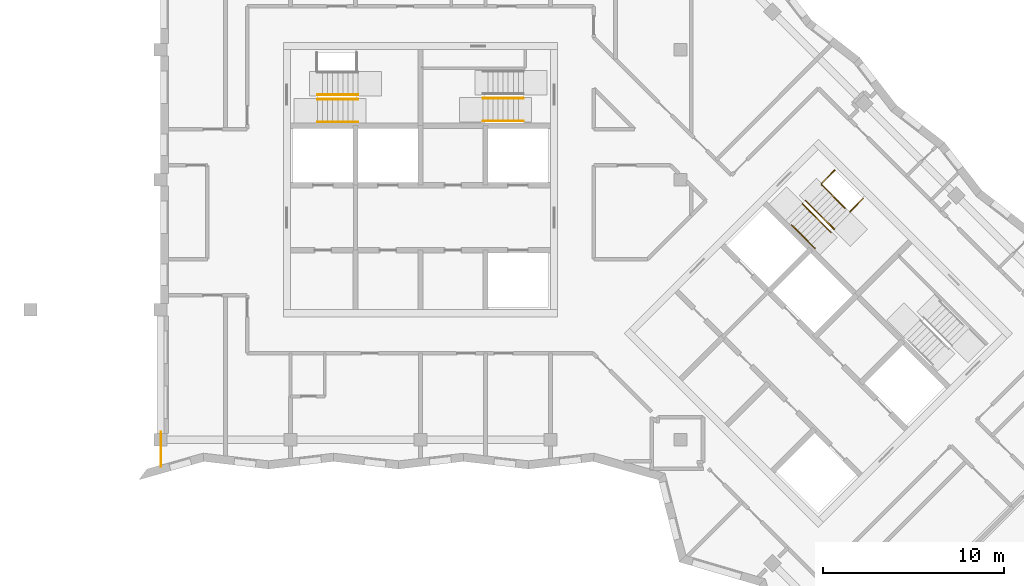
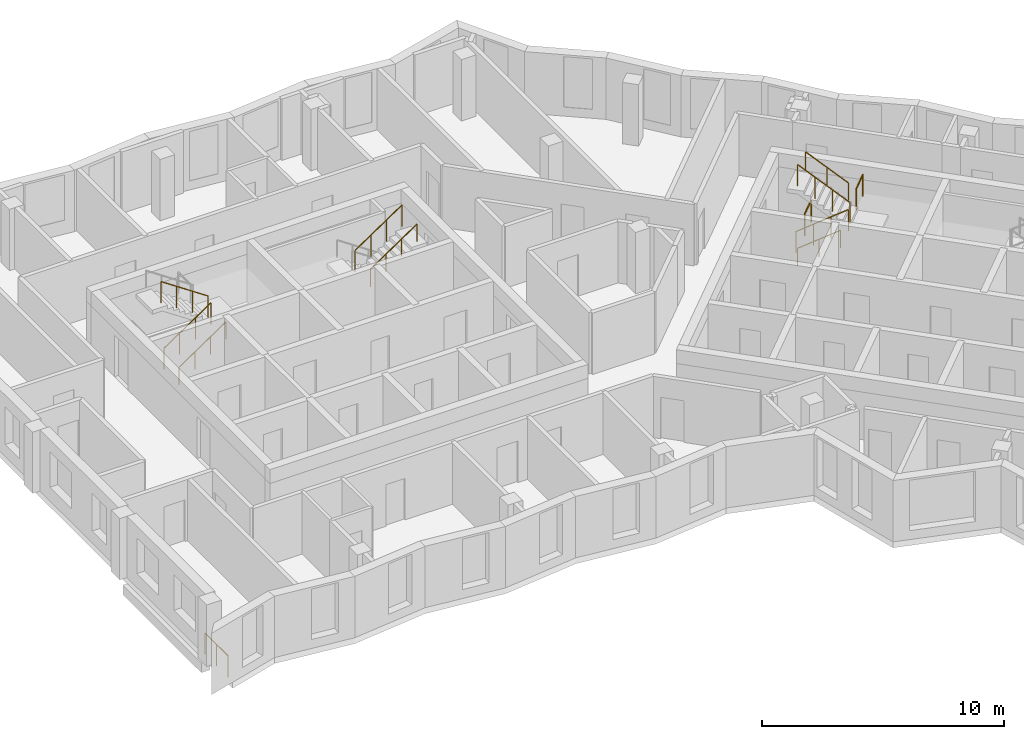
# One storey, part 9 of 12: 12 railings.
"""IFC4 building model written with IfcOpenShell, lengths in metres."""

from ifc_helpers import new_model, si_unit, direction, frame, origin, origin_2d, place, context, subcontext, project, spatial, circle, extrude, material, type_object, element, save


model = new_model("IFC4")

# Units and contexts
model_context = context("Model", 3, precision=1e-05, world=origin(), true_north=direction((0.0, 1.0)))
body_context = subcontext(model_context, "Body", "Model", "MODEL_VIEW")
ifc_project = project(units=[si_unit("LENGTHUNIT", "METRE"), si_unit("AREAUNIT", "SQUARE_METRE"), si_unit("VOLUMEUNIT", "CUBIC_METRE"), si_unit("PLANEANGLEUNIT", "RADIAN"), si_unit("MASSUNIT", "GRAM", prefix="KILO")], contexts=[model_context])

# Site, building, storey
site_placement = place(None, origin())
site = spatial("IfcSite", under=ifc_project, at=site_placement, CompositionType="ELEMENT")
building_placement = place(site_placement, origin())
building = spatial("IfcBuilding", under=site, at=building_placement, Name="Windrow Commons", CompositionType="ELEMENT")
storey_placement = place(building_placement, frame((0.0, 0.0, 257.4)))
storey = spatial("IfcBuildingStorey", under=building, at=storey_placement, Name="L70", CompositionType="ELEMENT", Elevation=257.4)

# Railings
ifc_material_1 = material(Name="Steel S355", Category="steel")
railing_type_1 = type_object("IfcRailingType", Name="Core stair guard 1100", PredefinedType="GUARDRAIL", material=ifc_material_1)
railing_1_placement = place(storey_placement, frame((59.1, 62.05, 0.1889)))
element("IfcRailing", 1, at=railing_1_placement, inside=storey, type_object=railing_type_1, Name="L70 ST-A1 stair guard 1", PredefinedType="GUARDRAIL", context=body_context, shape_type="SweptSolid", body=[
    extrude(circle(Radius=0.024, at=origin_2d()), frame((0.0, 0.0, 1.076), z_axis=(0.8290030985, 0.0, 0.5592440099), x_axis=(0.0, 1.0, 0.0)), (0.0, 0.0, 1.0), 2.702),
    extrude(circle(Radius=0.021, at=origin_2d()), origin(), (0.0, 0.0, 1.0), 1.052),
    extrude(circle(Radius=0.021, at=origin_2d()), frame((0.7467, 0.0, 0.5037)), (0.0, 0.0, 1.0), 1.052),
    extrude(circle(Radius=0.021, at=origin_2d()), frame((1.4933, 0.0, 1.0074)), (0.0, 0.0, 1.0), 1.052),
    extrude(circle(Radius=0.021, at=origin_2d()), frame((2.24, 0.0, 1.5111)), (0.0, 0.0, 1.0), 1.052),
])
railing_2_placement = place(storey_placement, frame((61.34, 62.3, 1.8889)))
element("IfcRailing", 2, at=railing_2_placement, inside=storey, type_object=railing_type_1, Name="L70 ST-A1 stair guard 2", PredefinedType="GUARDRAIL", context=body_context, shape_type="SweptSolid", body=[
    extrude(circle(Radius=0.024, at=origin_2d()), frame((0.0, 0.0, 1.076), z_axis=(-0.8290030985, 0.0, 0.5592440099), x_axis=(0.0, -1.0, 0.0)), (0.0, 0.0, 1.0), 2.702),
    extrude(circle(Radius=0.021, at=origin_2d()), origin(), (0.0, 0.0, 1.0), 1.052),
    extrude(circle(Radius=0.021, at=origin_2d()), frame((-0.7467, 0.0, 0.5037)), (0.0, 0.0, 1.0), 1.052),
    extrude(circle(Radius=0.021, at=origin_2d()), frame((-1.4933, 0.0, 1.0074)), (0.0, 0.0, 1.0), 1.052),
    extrude(circle(Radius=0.021, at=origin_2d()), frame((-2.24, 0.0, 1.5111)), (0.0, 0.0, 1.0), 1.052),
])
railing_3_placement = place(storey_placement, frame((68.26, 62.105, 1.8889)))
element("IfcRailing", 3, at=railing_3_placement, inside=storey, type_object=railing_type_1, Name="L70 ST-A2 stair guard 2", PredefinedType="GUARDRAIL", context=body_context, shape_type="SweptSolid", body=[
    extrude(circle(Radius=0.024, at=origin_2d()), frame((0.0, 0.0, 1.076), z_axis=(0.8290030985, 0.0, 0.5592440099), x_axis=(0.0, 1.0, 0.0)), (0.0, 0.0, 1.0), 2.702),
    extrude(circle(Radius=0.021, at=origin_2d()), origin(), (0.0, 0.0, 1.0), 1.052),
    extrude(circle(Radius=0.021, at=origin_2d()), frame((0.7467, 0.0, 0.5037)), (0.0, 0.0, 1.0), 1.052),
    extrude(circle(Radius=0.021, at=origin_2d()), frame((1.4933, 0.0, 1.0074)), (0.0, 0.0, 1.0), 1.052),
    extrude(circle(Radius=0.021, at=origin_2d()), frame((2.24, 0.0, 1.5111)), (0.0, 0.0, 1.0), 1.052),
])
railing_4_placement = place(storey_placement, frame((85.9529, 56.2669, 0.1889)))
element("IfcRailing", 4, at=railing_4_placement, inside=storey, type_object=railing_type_1, Name="L70 ST-B1 stair guard 1", PredefinedType="GUARDRAIL", context=body_context, shape_type="SweptSolid", body=[
    extrude(circle(Radius=0.024, at=origin_2d()), frame((0.0, 0.0, 1.076), z_axis=(0.5861914914, -0.5861914914, 0.5592486664), x_axis=(0.7071067812, 0.7071067812, 0.0)), (0.0, 0.0, 1.0), 2.702),
    extrude(circle(Radius=0.021, at=origin_2d()), origin(), (0.0, 0.0, 1.0), 1.052),
    extrude(circle(Radius=0.021, at=origin_2d()), frame((0.528, -0.528, 0.5037)), (0.0, 0.0, 1.0), 1.052),
    extrude(circle(Radius=0.021, at=origin_2d()), frame((1.0559, -1.0559, 1.0074)), (0.0, 0.0, 1.0), 1.052),
    extrude(circle(Radius=0.021, at=origin_2d()), frame((1.5839, -1.5839, 1.5111)), (0.0, 0.0, 1.0), 1.052),
])
railing_5_placement = place(storey_placement, frame((87.7136, 54.8597, 1.8889)))
element("IfcRailing", 5, at=railing_5_placement, inside=storey, type_object=railing_type_1, Name="L70 ST-B1 stair guard 2", PredefinedType="GUARDRAIL", context=body_context, shape_type="SweptSolid", body=[
    extrude(circle(Radius=0.024, at=origin_2d()), frame((0.0, 0.0, 1.076), z_axis=(-0.5862030657, 0.5862030657, 0.5592244018), x_axis=(-0.7071067812, -0.7071067812, 0.0)), (0.0, 0.0, 1.0), 2.7021),
    extrude(circle(Radius=0.021, at=origin_2d()), origin(), (0.0, 0.0, 1.0), 1.052),
    extrude(circle(Radius=0.021, at=origin_2d()), frame((-0.528, 0.528, 0.5037)), (0.0, 0.0, 1.0), 1.052),
    extrude(circle(Radius=0.021, at=origin_2d()), frame((-1.056, 1.056, 1.0074)), (0.0, 0.0, 1.0), 1.052),
    extrude(circle(Radius=0.021, at=origin_2d()), frame((-1.584, 1.584, 1.5111)), (0.0, 0.0, 1.0), 1.052),
])
railing_6_placement = place(storey_placement, frame((87.0135, 57.3982, 0.0)))
element("IfcRailing", 6, at=railing_6_placement, inside=storey, type_object=railing_type_1, Name="L70 ST-B1 stair guard 3", PredefinedType="GUARDRAIL", context=body_context, shape_type="SweptSolid", body=[
    extrude(circle(Radius=0.024, at=origin_2d()), frame((0.0, 0.0, 1.076), z_axis=(0.7070582378, 0.7071553212, 0.0), x_axis=(-0.7071553212, 0.7070582378, 0.0)), (0.0, 0.0, 1.0), 1.03),
    extrude(circle(Radius=0.021, at=origin_2d()), origin(), (0.0, 0.0, 1.0), 1.052),
    extrude(circle(Radius=0.021, at=origin_2d()), frame((0.7283, 0.7284, 0.0)), (0.0, 0.0, 1.0), 1.052),
])
railing_7_placement = place(storey_placement, frame((88.5833, 55.8285, 1.7)))
element("IfcRailing", 7, at=railing_7_placement, inside=storey, type_object=railing_type_1, Name="L70 ST-B1 stair guard 4", PredefinedType="GUARDRAIL", context=body_context, shape_type="SweptSolid", body=[
    extrude(circle(Radius=0.024, at=origin_2d()), frame((0.0, 0.0, 1.076), z_axis=(0.7071067812, 0.7071067812, 0.0), x_axis=(-0.7071067812, 0.7071067812, 0.0)), (0.0, 0.0, 1.0), 1.03),
    extrude(circle(Radius=0.021, at=origin_2d()), origin(), (0.0, 0.0, 1.0), 1.052),
    extrude(circle(Radius=0.021, at=origin_2d()), frame((0.7283, 0.7283, 0.0)), (0.0, 0.0, 1.0), 1.052),
])
ifc_material_2 = material(Name="Steel S355", Category="steel")
railing_type_2 = type_object("IfcRailingType", Name="Core stair handrail 900", PredefinedType="HANDRAIL", material=ifc_material_2)
for number, where, name in (
    (8, (59.1, 60.8, 0.1889), "L70 ST-A1 stair handrail 1"),
    (9, (68.26, 60.855, 1.8889), "L70 ST-A2 stair handrail 2"),
):
    element("IfcRailing", number, at=place(storey_placement, frame(where)), inside=storey, type_object=railing_type_2, Name=name, PredefinedType="HANDRAIL", context=body_context, shape_type="SweptSolid", body=[
        extrude(circle(Radius=0.024, at=origin_2d()), frame((0.0, 0.0, 0.876), z_axis=(0.8290030985, 0.0, 0.5592440099), x_axis=(0.0, 1.0, 0.0)), (0.0, 0.0, 1.0), 2.702),
        extrude(circle(Radius=0.021, at=origin_2d()), origin(), (0.0, 0.0, 1.0), 0.852),
        extrude(circle(Radius=0.021, at=origin_2d()), frame((0.7467, 0.0, 0.5037)), (0.0, 0.0, 1.0), 0.852),
        extrude(circle(Radius=0.021, at=origin_2d()), frame((1.4933, 0.0, 1.0074)), (0.0, 0.0, 1.0), 0.852),
        extrude(circle(Radius=0.021, at=origin_2d()), frame((2.24, 0.0, 1.5111)), (0.0, 0.0, 1.0), 0.852),
    ])
railing_8_placement = place(storey_placement, frame((85.3518, 55.1001, 0.4587)))
element("IfcRailing", 10, at=railing_8_placement, inside=storey, type_object=railing_type_2, Name="L70 ST-B1 stair handrail 1", PredefinedType="HANDRAIL", context=body_context, shape_type="SweptSolid", body=[
    extrude(circle(Radius=0.024, at=origin_2d()), frame((0.0, 0.0, 0.876), z_axis=(0.586206706, -0.5861616513, 0.5592639952), x_axis=(0.7070796062, 0.7071339551, 0.0)), (0.0, 0.0, 1.0), 2.2195),
    extrude(circle(Radius=0.021, at=origin_2d()), origin(), (0.0, 0.0, 1.0), 0.852),
    extrude(circle(Radius=0.021, at=origin_2d()), frame((0.6506, -0.6505, 0.6207)), (0.0, 0.0, 1.0), 0.852),
    extrude(circle(Radius=0.021, at=origin_2d()), frame((1.3011, -1.301, 1.2413)), (0.0, 0.0, 1.0), 0.852),
])
railing_9_placement = place(storey_placement, frame((88.3146, 56.0265, 2.1587)))
element("IfcRailing", 11, at=railing_9_placement, inside=storey, type_object=railing_type_2, Name="L70 ST-B1 stair handrail 2", PredefinedType="HANDRAIL", context=body_context, shape_type="SweptSolid", body=[
    extrude(circle(Radius=0.024, at=origin_2d()), frame((0.0, 0.0, 0.876), z_axis=(-0.586206706, 0.5861616513, 0.5592639952), x_axis=(-0.7070796062, -0.7071339551, 0.0)), (0.0, 0.0, 1.0), 2.2195),
    extrude(circle(Radius=0.021, at=origin_2d()), origin(), (0.0, 0.0, 1.0), 0.852),
    extrude(circle(Radius=0.021, at=origin_2d()), frame((-0.6506, 0.6505, 0.6207)), (0.0, 0.0, 1.0), 0.852),
    extrude(circle(Radius=0.021, at=origin_2d()), frame((-1.3011, 1.301, 1.2413)), (0.0, 0.0, 1.0), 0.852),
])
ifc_material_3 = material(Name="Stainless steel S316 balustrade with toughened glass infill", Category="steel")
railing_type_3 = type_object("IfcRailingType", Name="Terrace guard 1100", PredefinedType="BALUSTRADE", material=ifc_material_3)
railing_10_placement = place(storey_placement, frame((50.43, 41.7266, 0.0)))
element("IfcRailing", 12, at=railing_10_placement, inside=storey, type_object=railing_type_3, Name="Edge guard L70 1", PredefinedType="BALUSTRADE", context=body_context, shape_type="SweptSolid", body=[
    extrude(circle(Radius=0.025, at=origin_2d()), frame((0.0, 0.0, 1.075), z_axis=(0.0, 1.0, 0.0), x_axis=(-1.0, 0.0, 0.0)), (0.0, 0.0, 1.0), 1.9034),
    extrude(circle(Radius=0.02, at=origin_2d()), origin(), (0.0, 0.0, 1.0), 1.05),
    extrude(circle(Radius=0.02, at=origin_2d()), frame((0.0, 0.9517, 0.0)), (0.0, 0.0, 1.0), 1.05),
    extrude(circle(Radius=0.02, at=origin_2d()), frame((0.0, 1.9034, 0.0)), (0.0, 0.0, 1.0), 1.05),
])

save(model, "model.ifc")
